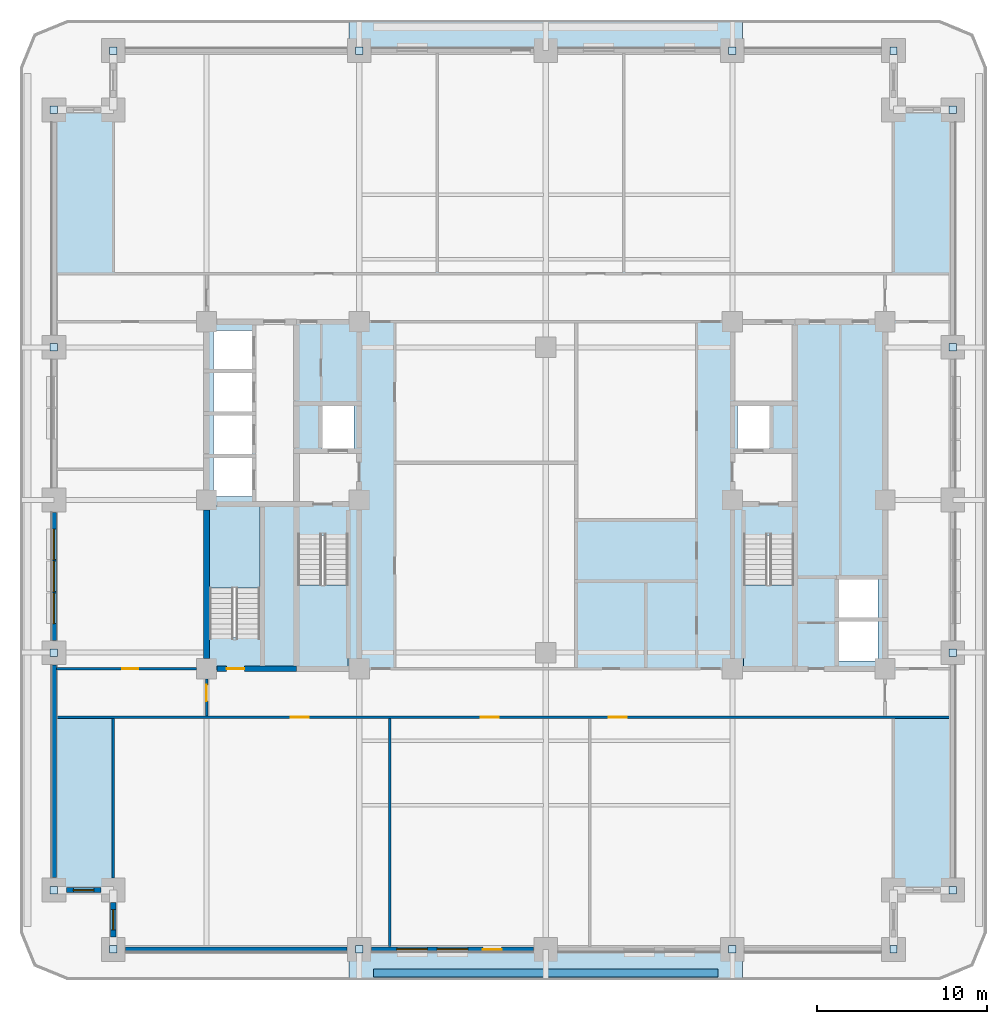
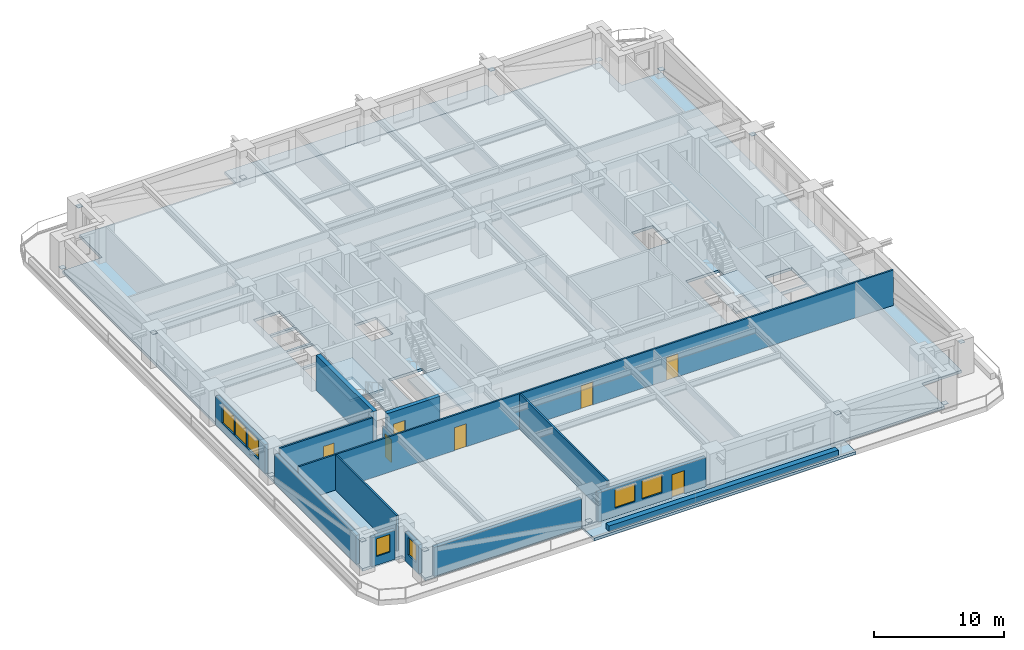
# One storey, part 2 of 14: 16 plates, 14 walls, 7 doors, 7 windows, 6 slabs, 14 openings, 3 elements without a shape of their own.
"""IFC4 building model written with IfcOpenShell, lengths in metres."""

from ifc_helpers import new_model, si_unit, direction, frame, frame_2d, origin, origin_2d, place, context, subcontext, project, spatial, polyline, rectangle, outline, extrude, material, layer, layer_set, type_object, element, fill, aggregate, save


model = new_model("IFC4")

# Units and contexts
model_context = context("Model", 3, precision=1e-05, world=origin(), true_north=direction((0.0, 1.0)))
body_context = subcontext(model_context, "Body", "Model", "MODEL_VIEW")
ifc_project = project(units=[si_unit("LENGTHUNIT", "METRE"), si_unit("AREAUNIT", "SQUARE_METRE"), si_unit("VOLUMEUNIT", "CUBIC_METRE"), si_unit("PLANEANGLEUNIT", "RADIAN"), si_unit("MASSUNIT", "GRAM", prefix="KILO")], contexts=[model_context])

# Site, building, storey
site_placement = place(None, origin())
site = spatial("IfcSite", under=ifc_project, at=site_placement, CompositionType="ELEMENT")
building_placement = place(site_placement, origin())
building = spatial("IfcBuilding", under=site, at=building_placement, Name="Zulmaris Gate Convention Tower", CompositionType="ELEMENT")
storey_placement = place(building_placement, frame((0.0, 0.0, 64.329833984375)))
storey = spatial("IfcBuildingStorey", under=building, at=storey_placement, Name="L15", CompositionType="ELEMENT", Elevation=64.329833984375)

# Plates
ifc_material_1 = material(Name="Steel S460", Category="steel")
ifc_layer_1 = layer(ifc_material_1, 0.02490234375, Name="Steel S460")
ifc_layer_set_1 = layer_set([ifc_layer_1], Name="Steel S460")
plate_type = type_object("IfcPlateType", Name="NP-CAP-440", PredefinedType="USERDEFINED", material=ifc_layer_set_1)
for number, where, z_axis, x_axis, name in (
    (1, (-29.0, -9.0, 0.28759765625), (0.0, 0.0, 1.0), (1.0, 0.0, 0.0), "L15 Steel Node Plate PBR-L15-SW-W-CAP"),
    (2, (-29.0, -23.0, 2.6875), (0.0, 0.0, 1.0), (1.0, 0.0, 0.0), "L15 Steel Node Plate PBR-L15-SW-W-CAPB"),
    (3, (-29.0, 23.0, 0.28759765625), (0.0, 0.0, 1.0), (1.0, 0.0, 0.0), "L15 Steel Node Plate PBR-L15-NW-W-CAP"),
    (4, (-29.0, 9.0, 2.6875), (0.0, 0.0, 1.0), (1.0, 0.0, 0.0), "L15 Steel Node Plate PBR-L15-NW-W-CAPB"),
    (5, (24.0, -9.0, 0.28759765625), (0.0, 0.0, 1.0), (1.0, 0.0, 0.0), "L15 Steel Node Plate PBR-L15-SE-E-CAP"),
    (6, (24.0, -23.0, 2.6875), (0.0, 0.0, 1.0), (1.0, 0.0, 0.0), "L15 Steel Node Plate PBR-L15-SE-E-CAPB"),
    (7, (24.0, 23.0, 0.28759765625), (0.0, 0.0, 1.0), (1.0, 0.0, 0.0), "L15 Steel Node Plate PBR-L15-NE-E-CAP"),
    (8, (24.0, 9.0, 2.6875), (0.0, 0.0, 1.0), (1.0, 0.0, 0.0), "L15 Steel Node Plate PBR-L15-NE-E-CAPB"),
    (9, (-11.0, -26.5, 0.28759765625), (0.0, 0.0, 1.0), (1.0, 0.0, 0.0), "L15 Steel Node Plate PBR-L15-SW-S-CAP"),
    (10, (-25.5, -26.5, 2.6875), (0.0, 0.0, 1.0), (1.0, 0.0, 0.0), "L15 Steel Node Plate PBR-L15-SW-S-CAPB"),
    (11, (20.5, -26.5, 0.28759765625), (0.0, 0.0, 1.0), (1.0, 0.0, 0.0), "L15 Steel Node Plate PBR-L15-SE-S-CAP"),
    (12, (11.0, -26.5, 2.6875), (0.0, 0.0, 1.0), (1.0, 0.0, 0.0), "L15 Steel Node Plate PBR-L15-SE-S-CAPB"),
    (13, (-11.0, 26.5, 0.28759765625), (0.0, 0.0, 1.0), (1.0, 0.0, 0.0), "L15 Steel Node Plate PBR-L15-NW-N-CAP"),
    (14, (-25.5, 26.5, 2.6875), (0.0, 0.0, 1.0), (1.0, 0.0, 0.0), "L15 Steel Node Plate PBR-L15-NW-N-CAPB"),
    (15, (20.5, 26.5, 0.28759765625), (0.0, 0.0, 1.0), (1.0, 0.0, 0.0), "L15 Steel Node Plate PBR-L15-NE-N-CAP"),
    (16, (11.0, 26.5, 2.6875), (0.0, 0.0, 1.0), (1.0, 0.0, 0.0), "L15 Steel Node Plate PBR-L15-NE-N-CAPB"),
):
    element("IfcPlate", number, at=place(storey_placement, frame(where, z_axis=z_axis, x_axis=x_axis)), inside=storey, type_object=plate_type, Name=name, ObjectType="FLANGE PLATE", PredefinedType="USERDEFINED", context=body_context, shape_type="SweptSolid", body=[
        extrude(rectangle(XDim=0.43994140625, YDim=0.43994140625, at=origin_2d()), origin(), (0.0, 0.0, 1.0), 0.02490234375),
    ])

# Slabs
ifc_material_2 = material(Name="Precast concrete C50/60", Category="concrete")
ifc_layer_2 = layer(ifc_material_2, 0.239990234375, Name="Precast concrete C50/60")
ifc_layer_set_2 = layer_set([ifc_layer_2], Name="Precast concrete C50/60")
slab_type_1 = type_object("IfcSlabType", Name="SL-BAL-240", PredefinedType="FLOOR", material=ifc_layer_set_2)
slab_1_placement = place(storey_placement, frame((0.0, 0.0, -0.300048828125)))
element("IfcSlab", 17, at=slab_1_placement, inside=storey, type_object=slab_type_1, Name="L15 South Tree-Balcony Planter Slab", PredefinedType="FLOOR", context=body_context, shape_type="SweptSolid", body=[
    extrude(outline(polyline([(-11.597900390625, -28.300048828125), (-11.597900390625, -26.5), (11.597900390625, -26.5), (11.597900390625, -28.300048828125), (-11.597900390625, -28.300048828125)])), origin(), (0.0, 0.0, 1.0), 0.260009765625),
])
slab_2_placement = place(storey_placement, frame((0.0, 0.0, -0.300048828125)))
element("IfcSlab", 18, at=slab_2_placement, inside=storey, type_object=slab_type_1, Name="L15 North Tree-Balcony Planter Slab", PredefinedType="FLOOR", context=body_context, shape_type="SweptSolid", body=[
    extrude(outline(polyline([(11.597900390625, 28.300048828125), (11.597900390625, 26.5), (-11.597900390625, 26.5), (-11.597900390625, 28.300048828125), (11.597900390625, 28.300048828125)])), origin(), (0.0, 0.0, 1.0), 0.260009765625),
])
ifc_material_3 = material(Name="Concrete C50/60", Category="concrete")
ifc_layer_3 = layer(ifc_material_3, 0.25, Name="Concrete C50/60")
ifc_layer_set_3 = layer_set([ifc_layer_3], Name="Concrete C50/60")
slab_type_2 = type_object("IfcSlabType", Name="SL-FLR-250", PredefinedType="FLOOR", material=ifc_layer_set_3)
slab_3_placement = place(storey_placement, frame((0.0, 0.0, -0.25)))
element("IfcSlab", 19, at=slab_3_placement, inside=storey, type_object=slab_type_2, Name="L15 Shifted Notched-Square Structural Floor Slab", PredefinedType="FLOOR", context=body_context, shape_type="SweptSolid", body=[
    extrude(outline(polyline([(-25.5, -26.5), (20.5, -26.5), (20.5, -23.0), (24.0, -23.0), (24.0, 23.0), (20.5, 23.0), (20.5, 26.5), (-25.5, 26.5), (-25.5, 23.0), (-29.0, 23.0), (-29.0, -23.0), (-25.5, -23.0), (-25.5, -26.5)]), holes=[polyline([(-14.6201171875, -2.080078125), (-14.6201171875, -9.85009765625), (-11.659912109375, -9.85009765625), (-11.659912109375, -2.080078125), (-14.6201171875, -2.080078125)]), polyline([(11.659912109375, -2.080078125), (11.659912109375, -9.85009765625), (14.6201171875, -9.85009765625), (14.6201171875, -2.080078125), (11.659912109375, -2.080078125)]), polyline([(-16.860107421875, -8.1201171875), (-16.860107421875, -0.35009765625), (-19.820068359375, -0.35009765625), (-19.820068359375, -8.1201171875), (-16.860107421875, -8.1201171875)]), polyline([(-13.199951171875, 3.0), (-11.300048828125, 3.0), (-11.300048828125, 5.60009765625), (-13.199951171875, 5.60009765625), (-13.199951171875, 3.0)]), polyline([(11.300048828125, 3.0), (13.199951171875, 3.0), (13.199951171875, 5.60009765625), (11.300048828125, 5.60009765625), (11.300048828125, 3.0)]), polyline([(-19.60009765625, 0.199951171875), (-17.300048828125, 0.199951171875), (-17.300048828125, 2.5), (-19.60009765625, 2.5), (-19.60009765625, 0.199951171875)]), polyline([(-19.60009765625, 2.699951171875), (-17.300048828125, 2.699951171875), (-17.300048828125, 5.0), (-19.60009765625, 5.0), (-19.60009765625, 2.699951171875)]), polyline([(-19.60009765625, 5.199951171875), (-17.300048828125, 5.199951171875), (-17.300048828125, 7.5), (-19.60009765625, 7.5), (-19.60009765625, 5.199951171875)]), polyline([(-19.60009765625, 7.699951171875), (-17.300048828125, 7.699951171875), (-17.300048828125, 10.0), (-19.60009765625, 10.0), (-19.60009765625, 7.699951171875)]), polyline([(17.199951171875, -9.5), (19.60009765625, -9.5), (19.60009765625, -7.10009765625), (17.199951171875, -7.10009765625), (17.199951171875, -9.5)]), polyline([(17.199951171875, -7.0), (19.60009765625, -7.0), (19.60009765625, -4.60009765625), (17.199951171875, -4.60009765625), (17.199951171875, -7.0)])]), origin(), (0.0, 0.0, 1.0), 0.25),
])

# Stair, slab
ifc_material_4 = material(Name="Concrete C45/55", Category="concrete")
stair_type = type_object("IfcStairType", Name="ST-CORE-DOGLEG", PredefinedType="HALF_TURN_STAIR", material=ifc_material_4)
stair_1_placement = place(storey_placement, origin())
stair_1 = element("IfcStair", 20, at=stair_1_placement, inside=storey, type_object=stair_type, Name="L15 Core Exit Stair ST-1", PredefinedType="HALF_TURN_STAIR")
ifc_layer_4 = layer(ifc_material_4, 0.199951171875, Name="Concrete C45/55")
ifc_layer_set_4 = layer_set([ifc_layer_4], Name="Concrete C45/55")
slab_type_3 = type_object("IfcSlabType", Name="SL-LND-200", PredefinedType="LANDING", material=ifc_layer_set_4)
slab_4_placement = place(storey_placement, frame((0.0, 0.0, 1.5849609375)))
slab_4 = element("IfcSlab", 21, at=slab_4_placement, type_object=slab_type_3, Name="ST-1 landing 1", PredefinedType="LANDING", context=body_context, shape_type="SweptSolid", body=[
    extrude(outline(polyline([(-14.6201171875, -5.0), (-14.6201171875, -9.85009765625), (-11.659912109375, -9.85009765625), (-11.659912109375, -5.0), (-14.6201171875, -5.0)])), origin(), (0.0, 0.0, 1.0), 0.199951171875),
])
aggregate(stair_1, [slab_4])

stair_2_placement = place(storey_placement, origin())
stair_2 = element("IfcStair", 22, at=stair_2_placement, inside=storey, type_object=stair_type, Name="L15 Core Exit Stair ST-2", PredefinedType="HALF_TURN_STAIR")
slab_5_placement = place(storey_placement, frame((0.0, 0.0, 1.5849609375)))
slab_5 = element("IfcSlab", 23, at=slab_5_placement, type_object=slab_type_3, Name="ST-2 landing 1", PredefinedType="LANDING", context=body_context, shape_type="SweptSolid", body=[
    extrude(outline(polyline([(11.659912109375, -5.0), (11.659912109375, -9.85009765625), (14.6201171875, -9.85009765625), (14.6201171875, -5.0), (11.659912109375, -5.0)])), origin(), (0.0, 0.0, 1.0), 0.199951171875),
])
aggregate(stair_2, [slab_5])

stair_3_placement = place(storey_placement, origin())
stair_3 = element("IfcStair", 24, at=stair_3_placement, inside=storey, type_object=stair_type, Name="L15 Core Exit Stair ST-3", PredefinedType="HALF_TURN_STAIR")
slab_6_placement = place(storey_placement, frame((0.0, 0.0, 1.5849609375)))
slab_6 = element("IfcSlab", 25, at=slab_6_placement, type_object=slab_type_3, Name="ST-3 landing 1", PredefinedType="LANDING", context=body_context, shape_type="SweptSolid", body=[
    extrude(outline(polyline([(-16.860107421875, -5.199951171875), (-16.860107421875, -0.35009765625), (-19.820068359375, -0.35009765625), (-19.820068359375, -5.199951171875), (-16.860107421875, -5.199951171875)])), origin(), (0.0, 0.0, 1.0), 0.199951171875),
])
aggregate(stair_3, [slab_6])

# Wall, opening, door
ifc_material_5 = material(Name="Concrete C55/67", Category="concrete")
ifc_layer_5 = layer(ifc_material_5, 0.35009765625, Name="Concrete C55/67")
ifc_layer_set_5 = layer_set([ifc_layer_5], Name="Concrete C55/67")
wall_type_1 = type_object("IfcWallType", Name="CORE-350", PredefinedType="SHEAR", material=ifc_layer_set_5)
wall_1_placement = place(storey_placement, frame((-19.39599609375, -9.949951171875, 0.0), z_axis=(0.0, 0.0, 1.0), x_axis=(1.0, 0.0, 0.0)))
wall_1 = element("IfcWall", 26, at=wall_1_placement, inside=storey, type_object=wall_type_1, Name="WL-L15-001", PredefinedType="SHEAR", context=body_context, shape_type="SweptSolid", body=[
    extrude(rectangle(XDim=4.696044921875, YDim=0.35009765625, at=frame_2d((2.34814453125, 0.0))), origin(), (0.0, 0.0, 1.0), 3.320068359375),
])
opening_1_placement = place(wall_1_placement, frame((0.571044921875, 0.0, 0.0)))
opening_1 = element("IfcOpeningElement", 27, at=opening_1_placement, cuts=wall_1, Name="Opening D-09", PredefinedType="OPENING", context=body_context, shape_type="SweptSolid", body=[
    extrude(rectangle(XDim=1.050048828125, YDim=2.14990234375, at=frame_2d((0.52490234375, 1.074951171875))), frame((0.0, 0.18505859375, 0.0), z_axis=(0.0, -1.0, 0.0), x_axis=(1.0, 0.0, 0.0)), (0.0, 0.0, 1.0), 0.3701171875),
])
ifc_material_6 = material(Name="Fire-Rated Steel", Category="steel")
door_type_1 = type_object("IfcDoorType", Name="DR-1050-FD", OperationType="NOTDEFINED", PredefinedType="DOOR", material=ifc_material_6)
door_1_placement = place(opening_1_placement, origin())
door_1 = element("IfcDoor", 28, at=door_1_placement, inside=storey, type_object=door_type_1, Name="L15 Exit Stair ST-3 Door 10", OperationType="SINGLE_SWING_RIGHT", OverallHeight=2.14990234375, OverallWidth=1.050048828125, PredefinedType="DOOR", context=body_context, shape_type="SweptSolid", body=[
    extrude(rectangle(XDim=1.050048828125, YDim=2.14990234375, at=frame_2d((0.52490234375, 1.074951171875))), frame((0.0, 0.02490234375, 0.0), z_axis=(0.0, -1.0, 0.0), x_axis=(1.0, 0.0, 0.0)), (0.0, 0.0, 1.0), 0.050048828125),
])
fill(opening_1, door_1)

# Wall
wall_2_placement = place(storey_placement, frame((-20.0, -9.345947265625, 0.0), z_axis=(0.0, 0.0, 1.0), x_axis=(0.0, 1.0, 0.0)))
element("IfcWall", 29, at=wall_2_placement, inside=storey, type_object=wall_type_1, Name="WL-L15-034", PredefinedType="SHEAR", context=body_context, shape_type="SweptSolid", body=[
    extrude(rectangle(XDim=8.741943359375, YDim=0.35009765625, at=frame_2d((4.37109375, 0.0))), origin(), (0.0, 0.0, 1.0), 3.320068359375),
])

# Wall, openings, doors
ifc_material_7 = material(Name="Gypsum Metal Stud Partition")
ifc_layer_6 = layer(ifc_material_7, 0.14990234375, Name="Gypsum Metal Stud Partition")
ifc_layer_set_6 = layer_set([ifc_layer_6], Name="Gypsum Metal Stud Partition")
wall_type_2 = type_object("IfcWallType", Name="PART-150", PredefinedType="PARTITIONING", material=ifc_layer_set_6)
wall_3_placement = place(storey_placement, frame((-28.8349609375, -12.800048828125, 0.0), z_axis=(0.0, 0.0, 1.0), x_axis=(1.0, 0.0, 0.0)))
wall_3 = element("IfcWall", 30, at=wall_3_placement, inside=storey, type_object=wall_type_2, Name="WL-L15-020", PredefinedType="PARTITIONING", context=body_context, shape_type="SweptSolid", body=[
    extrude(rectangle(XDim=52.669921875, YDim=0.14990234375, at=frame_2d((26.3349609375, 0.0))), origin(), (0.0, 0.0, 1.0), 3.320068359375),
])
opening_2_placement = place(wall_3_placement, frame((13.81005859375, 0.0, 0.0)))
opening_2 = element("IfcOpeningElement", 31, at=opening_2_placement, cuts=wall_3, Name="Opening D-09", PredefinedType="OPENING", context=body_context, shape_type="SweptSolid", body=[
    extrude(rectangle(XDim=1.050048828125, YDim=2.14990234375, at=frame_2d((0.52490234375, 1.074951171875))), frame((0.0, 0.0849609375, 0.0), z_axis=(0.0, -1.0, 0.0), x_axis=(1.0, 0.0, 0.0)), (0.0, 0.0, 1.0), 0.169921875),
])
opening_3_placement = place(wall_3_placement, frame((25.010009765625, 0.0, 0.0)))
opening_3 = element("IfcOpeningElement", 32, at=opening_3_placement, cuts=wall_3, Name="Opening D-09", PredefinedType="OPENING", context=body_context, shape_type="SweptSolid", body=[
    extrude(rectangle(XDim=1.050048828125, YDim=2.14990234375, at=frame_2d((0.52490234375, 1.074951171875))), frame((0.0, 0.0849609375, 0.0), z_axis=(0.0, -1.0, 0.0), x_axis=(1.0, 0.0, 0.0)), (0.0, 0.0, 1.0), 0.169921875),
])
opening_4_placement = place(wall_3_placement, frame((32.56005859375, 0.0, 0.0)))
opening_4 = element("IfcOpeningElement", 33, at=opening_4_placement, cuts=wall_3, Name="Opening D-09", PredefinedType="OPENING", context=body_context, shape_type="SweptSolid", body=[
    extrude(rectangle(XDim=1.050048828125, YDim=2.14990234375, at=frame_2d((0.52490234375, 1.074951171875))), frame((0.0, 0.0849609375, 0.0), z_axis=(0.0, -1.0, 0.0), x_axis=(1.0, 0.0, 0.0)), (0.0, 0.0, 1.0), 0.169921875),
])
door_2_placement = place(opening_2_placement, origin())
door_2 = element("IfcDoor", 34, at=door_2_placement, inside=storey, type_object=door_type_1, Name="L15 Executive Boardroom Door 27", OperationType="SINGLE_SWING_LEFT", OverallHeight=2.14990234375, OverallWidth=1.050048828125, PredefinedType="DOOR", context=body_context, shape_type="SweptSolid", body=[
    extrude(rectangle(XDim=1.050048828125, YDim=2.14990234375, at=frame_2d((0.52490234375, 1.074951171875))), frame((0.0, 0.02490234375, 0.0), z_axis=(0.0, -1.0, 0.0), x_axis=(1.0, 0.0, 0.0)), (0.0, 0.0, 1.0), 0.050048828125),
])
fill(opening_2, door_2)
door_3_placement = place(opening_3_placement, origin())
door_3 = element("IfcDoor", 35, at=door_3_placement, inside=storey, type_object=door_type_1, Name="L15 Corporate Strategy Office Door 28", OperationType="SINGLE_SWING_RIGHT", OverallHeight=2.14990234375, OverallWidth=1.050048828125, PredefinedType="DOOR", context=body_context, shape_type="SweptSolid", body=[
    extrude(rectangle(XDim=1.050048828125, YDim=2.14990234375, at=frame_2d((0.52490234375, 1.074951171875))), frame((0.0, 0.02490234375, 0.0), z_axis=(0.0, -1.0, 0.0), x_axis=(1.0, 0.0, 0.0)), (0.0, 0.0, 1.0), 0.050048828125),
])
fill(opening_3, door_3)
door_4_placement = place(opening_4_placement, origin())
door_4 = element("IfcDoor", 36, at=door_4_placement, inside=storey, type_object=door_type_1, Name="L15 Project Advisory Studio Door 29", OperationType="SINGLE_SWING_LEFT", OverallHeight=2.14990234375, OverallWidth=1.050048828125, PredefinedType="DOOR", context=body_context, shape_type="SweptSolid", body=[
    extrude(rectangle(XDim=1.050048828125, YDim=2.14990234375, at=frame_2d((0.52490234375, 1.074951171875))), frame((0.0, 0.02490234375, 0.0), z_axis=(0.0, -1.0, 0.0), x_axis=(1.0, 0.0, 0.0)), (0.0, 0.0, 1.0), 0.050048828125),
])
fill(opening_4, door_4)

# Wall, opening, door
wall_4_placement = place(storey_placement, frame((-28.8349609375, -9.949951171875, 0.0), z_axis=(0.0, 0.0, 1.0), x_axis=(1.0, 0.0, 0.0)))
wall_4 = element("IfcWall", 37, at=wall_4_placement, inside=storey, type_object=wall_type_2, Name="WL-L15-021", PredefinedType="PARTITIONING", context=body_context, shape_type="SweptSolid", body=[
    extrude(rectangle(XDim=8.22900390625, YDim=0.14990234375, at=frame_2d((4.114501953125, 0.0))), origin(), (0.0, 0.0, 1.0), 3.320068359375),
])
opening_5_placement = place(wall_4_placement, frame((3.860107421875, 0.0, 0.0)))
opening_5 = element("IfcOpeningElement", 38, at=opening_5_placement, cuts=wall_4, Name="Opening D-11", PredefinedType="OPENING", context=body_context, shape_type="SweptSolid", body=[
    extrude(rectangle(XDim=0.949951171875, YDim=2.14990234375, at=frame_2d((0.47509765625, 1.074951171875))), frame((0.0, 0.0849609375, 0.0), z_axis=(0.0, -1.0, 0.0), x_axis=(1.0, 0.0, 0.0)), (0.0, 0.0, 1.0), 0.169921875),
])
ifc_material_8 = material(Name="Fire-Rated Timber", Category="wood")
door_type_2 = type_object("IfcDoorType", Name="DR-950-FD", OperationType="NOTDEFINED", PredefinedType="DOOR", material=ifc_material_8)
door_5_placement = place(opening_5_placement, origin())
door_5 = element("IfcDoor", 39, at=door_5_placement, inside=storey, type_object=door_type_2, Name="L15 SW Partner Door 39", OperationType="SINGLE_SWING_LEFT", OverallHeight=2.14990234375, OverallWidth=0.949951171875, PredefinedType="DOOR", context=body_context, shape_type="SweptSolid", body=[
    extrude(rectangle(XDim=0.949951171875, YDim=2.14990234375, at=frame_2d((0.47509765625, 1.074951171875))), frame((0.0, 0.02490234375, 0.0), z_axis=(0.0, -1.0, 0.0), x_axis=(1.0, 0.0, 0.0)), (0.0, 0.0, 1.0), 0.050048828125),
])
fill(opening_5, door_5)

# Wall
wall_5_placement = place(storey_placement, frame((-25.5, -22.2939453125, 0.0), z_axis=(0.0, 0.0, 1.0), x_axis=(0.0, 1.0, 0.0)))
element("IfcWall", 40, at=wall_5_placement, inside=storey, type_object=wall_type_2, Name="WL-L15-069", PredefinedType="PARTITIONING", context=body_context, shape_type="SweptSolid", body=[
    extrude(rectangle(XDim=9.416015625, YDim=0.14990234375, at=frame_2d((4.7080078125, 0.0))), origin(), (0.0, 0.0, 1.0), 3.320068359375),
])

# Wall, opening, door
wall_6_placement = place(storey_placement, frame((-20.0, -12.721923828125, 0.0), z_axis=(0.0, 0.0, 1.0), x_axis=(0.0, 1.0, 0.0)))
wall_6 = element("IfcWall", 41, at=wall_6_placement, inside=storey, type_object=wall_type_2, Name="WL-L15-071", PredefinedType="PARTITIONING", context=body_context, shape_type="SweptSolid", body=[
    extrude(rectangle(XDim=2.166015625, YDim=0.14990234375, at=frame_2d((1.0830078125, 0.0))), origin(), (0.0, 0.0, 1.0), 2.66015625),
])
opening_6_placement = place(wall_6_placement, frame((0.866943359375, 0.0, 0.0)))
opening_6 = element("IfcOpeningElement", 42, at=opening_6_placement, cuts=wall_6, Name="Opening D-11", PredefinedType="OPENING", context=body_context, shape_type="SweptSolid", body=[
    extrude(rectangle(XDim=0.949951171875, YDim=2.14990234375, at=frame_2d((0.47509765625, 1.074951171875))), frame((0.0, 0.0849609375, 0.0), z_axis=(0.0, -1.0, 0.0), x_axis=(1.0, 0.0, 0.0)), (0.0, 0.0, 1.0), 0.169921875),
])
door_6_placement = place(opening_6_placement, origin())
door_6 = element("IfcDoor", 43, at=door_6_placement, inside=storey, type_object=door_type_2, Name="L15 SW Spur Door 37", OperationType="SINGLE_SWING_LEFT", OverallHeight=2.14990234375, OverallWidth=0.949951171875, PredefinedType="DOOR", context=body_context, shape_type="SweptSolid", body=[
    extrude(rectangle(XDim=0.949951171875, YDim=2.14990234375, at=frame_2d((0.47509765625, 1.074951171875))), frame((0.0, 0.02490234375, 0.0), z_axis=(0.0, -1.0, 0.0), x_axis=(1.0, 0.0, 0.0)), (0.0, 0.0, 1.0), 0.050048828125),
])
fill(opening_6, door_6)

# Walls
wall_7_placement = place(storey_placement, frame((-9.199951171875, -26.3349609375, 0.0), z_axis=(0.0, 0.0, 1.0), x_axis=(0.0, 1.0, 0.0)))
element("IfcWall", 44, at=wall_7_placement, inside=storey, type_object=wall_type_2, Name="WL-L15-074", PredefinedType="PARTITIONING", context=body_context, shape_type="SweptSolid", body=[
    extrude(rectangle(XDim=13.45703125, YDim=0.14990234375, at=frame_2d((6.728515625, 0.0))), origin(), (0.0, 0.0, 1.0), 3.320068359375),
])
ifc_material_9 = material(Name="Botanical Green Glazed Precast Concrete C40/50", Category="concrete")
ifc_layer_7 = layer(ifc_material_9, 0.419921875, Name="Botanical Green Glazed Precast Concrete C40/50")
ifc_layer_set_7 = layer_set([ifc_layer_7], Name="Botanical Green Glazed Precast Concrete C40/50")
wall_type_3 = type_object("IfcWallType", Name="PLANTER-CURB-200", PredefinedType="PARAPET", material=ifc_layer_set_7)
wall_8_placement = place(storey_placement, frame((-10.14990234375, -27.8798828125, -0.0400390625), z_axis=(0.0, 0.0, 1.0), x_axis=(1.0, 0.0, 0.0)))
element("IfcWall", 45, at=wall_8_placement, inside=storey, type_object=wall_type_3, Name="L15 Full-Length Balcony Tree Planter Trough", PredefinedType="PARAPET", context=body_context, shape_type="SweptSolid", body=[
    extrude(rectangle(XDim=20.2998046875, YDim=0.47998046875, at=frame_2d((10.14990234375, 0.0))), origin(), (0.0, 0.0, 1.0), 0.52001953125),
])

# Wall, opening, window
ifc_material_10 = material(Name="Precast concrete C40/50", Category="concrete")
ifc_layer_8 = layer(ifc_material_10, 0.300048828125, Name="Precast concrete C40/50")
ifc_layer_set_8 = layer_set([ifc_layer_8], Name="Precast concrete C40/50")
wall_type_4 = type_object("IfcWallType", Name="PRECAST-PIER-300", PredefinedType="STANDARD", material=ifc_layer_set_8)
wall_9_placement = place(storey_placement, frame((-28.27001953125, -23.0, 0.0), z_axis=(0.0, 0.0, 1.0), x_axis=(1.0, 0.0, 0.0)))
wall_9 = element("IfcWall", 46, at=wall_9_placement, inside=storey, type_object=wall_type_4, Name="EW-L15-NOTCH-SW1_0", PredefinedType="STANDARD", context=body_context, shape_type="SweptSolid", body=[
    extrude(rectangle(XDim=2.0400390625, YDim=0.300048828125, at=frame_2d((1.02001953125, 0.0))), origin(), (0.0, 0.0, 1.0), 2.712158203125),
])
opening_7_placement = place(wall_9_placement, frame((0.419921875, 0.0, 0.820068359375)))
opening_7 = element("IfcOpeningElement", 47, at=opening_7_placement, cuts=wall_9, Name="Opening W-04", PredefinedType="OPENING", context=body_context, shape_type="SweptSolid", body=[
    extrude(rectangle(XDim=1.199951171875, YDim=1.64990234375, at=frame_2d((0.60009765625, 0.824951171875))), frame((0.0, 0.16015625, 0.0), z_axis=(0.0, -1.0, 0.0), x_axis=(1.0, 0.0, 0.0)), (0.0, 0.0, 1.0), 0.320068359375),
])
ifc_material_11 = material(Name="Low-E Laminated Double Glazing in Aluminium Frame", Category="aluminium")
window_type_1 = type_object("IfcWindowType", Name="WIN-1200x2100", PartitioningType="SINGLE_PANEL", PredefinedType="WINDOW", material=ifc_material_11)
window_1_placement = place(opening_7_placement, origin())
window_1 = element("IfcWindow", 48, at=window_1_placement, inside=storey, type_object=window_type_1, Name="WN-EW-L15-NOTCH-SW1_0", OverallHeight=1.64990234375, OverallWidth=1.199951171875, PartitioningType="SINGLE_PANEL", PredefinedType="WINDOW", context=body_context, shape_type="SweptSolid", body=[
    extrude(rectangle(XDim=1.199951171875, YDim=1.64990234375, at=frame_2d((0.60009765625, 0.824951171875))), frame((0.0, 0.030029296875, 0.0), z_axis=(0.0, -1.0, 0.0), x_axis=(1.0, 0.0, 0.0)), (0.0, 0.0, 1.0), 0.06005859375),
])
fill(opening_7, window_1)

wall_10_placement = place(storey_placement, frame((-25.5, -23.72998046875, 0.0), z_axis=(0.0, 0.0, 1.0), x_axis=(0.0, -1.0, 0.0)))
wall_10 = element("IfcWall", 49, at=wall_10_placement, inside=storey, type_object=wall_type_4, Name="EW-L15-NOTCH-SW2_0", PredefinedType="STANDARD", context=body_context, shape_type="SweptSolid", body=[
    extrude(rectangle(XDim=2.0400390625, YDim=0.300048828125, at=frame_2d((1.02001953125, 0.0))), origin(), (0.0, 0.0, 1.0), 2.712158203125),
])
opening_8_placement = place(wall_10_placement, frame((0.419921875, 0.0, 0.820068359375)))
opening_8 = element("IfcOpeningElement", 50, at=opening_8_placement, cuts=wall_10, Name="Opening W-04", PredefinedType="OPENING", context=body_context, shape_type="SweptSolid", body=[
    extrude(rectangle(XDim=1.199951171875, YDim=1.64990234375, at=frame_2d((0.60009765625, 0.824951171875))), frame((0.0, 0.16015625, 0.0), z_axis=(0.0, -1.0, 0.0), x_axis=(1.0, 0.0, 0.0)), (0.0, 0.0, 1.0), 0.320068359375),
])
window_2_placement = place(opening_8_placement, origin())
window_2 = element("IfcWindow", 51, at=window_2_placement, inside=storey, type_object=window_type_1, Name="WN-EW-L15-NOTCH-SW2_0", OverallHeight=1.64990234375, OverallWidth=1.199951171875, PartitioningType="SINGLE_PANEL", PredefinedType="WINDOW", context=body_context, shape_type="SweptSolid", body=[
    extrude(rectangle(XDim=1.199951171875, YDim=1.64990234375, at=frame_2d((0.60009765625, 0.824951171875))), frame((0.0, 0.030029296875, 0.0), z_axis=(0.0, -1.0, 0.0), x_axis=(1.0, 0.0, 0.0)), (0.0, 0.0, 1.0), 0.06005859375),
])
fill(opening_8, window_2)

# Wall
wall_11_placement = place(storey_placement, frame((-24.77001953125, -26.5, 0.0), z_axis=(0.0, 0.0, 1.0), x_axis=(1.0, 0.0, 0.0)))
element("IfcWall", 52, at=wall_11_placement, inside=storey, type_object=wall_type_4, Name="EW-L15-S-0_0", PredefinedType="STANDARD", context=body_context, shape_type="SweptSolid", body=[
    extrude(rectangle(XDim=13.0400390625, YDim=0.300048828125, at=frame_2d((6.52001953125, 0.0))), origin(), (0.0, 0.0, 1.0), 2.712158203125),
])

# Wall, openings, door, windows
wall_12_placement = place(storey_placement, frame((-10.27001953125, -26.5, 0.0), z_axis=(0.0, 0.0, 1.0), x_axis=(1.0, 0.0, 0.0)))
wall_12 = element("IfcWall", 53, at=wall_12_placement, inside=storey, type_object=wall_type_4, Name="EW-L15-S-1_0", PredefinedType="STANDARD", context=body_context, shape_type="SweptSolid", body=[
    extrude(rectangle(XDim=9.5400390625, YDim=0.300048828125, at=frame_2d((4.77001953125, 0.0))), origin(), (0.0, 0.0, 1.0), 2.712158203125),
])
opening_9_placement = place(wall_12_placement, frame((6.56494140625, 0.0, 0.0)))
opening_9 = element("IfcOpeningElement", 54, at=opening_9_placement, cuts=wall_12, Name="Opening D-04", PredefinedType="OPENING", context=body_context, shape_type="SweptSolid", body=[
    extrude(rectangle(XDim=1.10009765625, YDim=2.14990234375, at=frame_2d((0.550048828125, 1.074951171875))), frame((0.0, 0.16015625, 0.0), z_axis=(0.0, -1.0, 0.0), x_axis=(1.0, 0.0, 0.0)), (0.0, 0.0, 1.0), 0.320068359375),
])
opening_10_placement = place(wall_12_placement, frame((1.485107421875, 0.0, 0.780029296875)))
opening_10 = element("IfcOpeningElement", 55, at=opening_10_placement, cuts=wall_12, Name="Opening W-02", PredefinedType="OPENING", context=body_context, shape_type="SweptSolid", body=[
    extrude(rectangle(XDim=1.800048828125, YDim=1.719970703125, at=frame_2d((0.89990234375, 0.85986328125))), frame((0.0, 0.16015625, 0.0), z_axis=(0.0, -1.0, 0.0), x_axis=(1.0, 0.0, 0.0)), (0.0, 0.0, 1.0), 0.320068359375),
])
opening_11_placement = place(wall_12_placement, frame((3.8701171875, 0.0, 0.780029296875)))
opening_11 = element("IfcOpeningElement", 56, at=opening_11_placement, cuts=wall_12, Name="Opening W-02", PredefinedType="OPENING", context=body_context, shape_type="SweptSolid", body=[
    extrude(rectangle(XDim=1.800048828125, YDim=1.719970703125, at=frame_2d((0.89990234375, 0.85986328125))), frame((0.0, 0.16015625, 0.0), z_axis=(0.0, -1.0, 0.0), x_axis=(1.0, 0.0, 0.0)), (0.0, 0.0, 1.0), 0.320068359375),
])
ifc_material_12 = material(Name="Anodised Aluminium and Laminated Glass", Category="aluminium")
door_type_3 = type_object("IfcDoorType", Name="ED-1100", OperationType="SINGLE_SWING_RIGHT", PredefinedType="DOOR", material=ifc_material_12)
door_7_placement = place(opening_9_placement, origin())
door_7 = element("IfcDoor", 57, at=door_7_placement, inside=storey, type_object=door_type_3, Name="L15 S Planted Terrace Door", OperationType="SINGLE_SWING_RIGHT", OverallHeight=2.14990234375, OverallWidth=1.10009765625, PredefinedType="DOOR", context=body_context, shape_type="SweptSolid", body=[
    extrude(rectangle(XDim=1.10009765625, YDim=2.14990234375, at=frame_2d((0.550048828125, 1.074951171875))), frame((0.0, 0.02490234375, 0.0), z_axis=(0.0, -1.0, 0.0), x_axis=(1.0, 0.0, 0.0)), (0.0, 0.0, 1.0), 0.050048828125),
])
fill(opening_9, door_7)
window_type_2 = type_object("IfcWindowType", Name="WIN-1800x2200", PartitioningType="SINGLE_PANEL", PredefinedType="WINDOW", material=ifc_material_11)
window_3_placement = place(opening_10_placement, origin())
window_3 = element("IfcWindow", 58, at=window_3_placement, inside=storey, type_object=window_type_2, Name="WN-EW-L15-S-1_0-1", OverallHeight=1.719970703125, OverallWidth=1.800048828125, PartitioningType="SINGLE_PANEL", PredefinedType="WINDOW", context=body_context, shape_type="SweptSolid", body=[
    extrude(rectangle(XDim=1.800048828125, YDim=1.719970703125, at=frame_2d((0.89990234375, 0.85986328125))), frame((0.0, 0.030029296875, 0.0), z_axis=(0.0, -1.0, 0.0), x_axis=(1.0, 0.0, 0.0)), (0.0, 0.0, 1.0), 0.06005859375),
])
fill(opening_10, window_3)
window_4_placement = place(opening_11_placement, origin())
window_4 = element("IfcWindow", 59, at=window_4_placement, inside=storey, type_object=window_type_2, Name="WN-EW-L15-S-1_0-2", OverallHeight=1.719970703125, OverallWidth=1.800048828125, PartitioningType="SINGLE_PANEL", PredefinedType="WINDOW", context=body_context, shape_type="SweptSolid", body=[
    extrude(rectangle(XDim=1.800048828125, YDim=1.719970703125, at=frame_2d((0.89990234375, 0.85986328125))), frame((0.0, 0.030029296875, 0.0), z_axis=(0.0, -1.0, 0.0), x_axis=(1.0, 0.0, 0.0)), (0.0, 0.0, 1.0), 0.06005859375),
])
fill(opening_11, window_4)

# Wall
wall_13_placement = place(storey_placement, frame((-29.0, -9.72998046875, 0.0), z_axis=(0.0, 0.0, 1.0), x_axis=(0.0, -1.0, 0.0)))
element("IfcWall", 60, at=wall_13_placement, inside=storey, type_object=wall_type_4, Name="EW-L15-W-0_0", PredefinedType="STANDARD", context=body_context, shape_type="SweptSolid", body=[
    extrude(rectangle(XDim=12.5400390625, YDim=0.300048828125, at=frame_2d((6.27001953125, 0.0))), origin(), (0.0, 0.0, 1.0), 2.712158203125),
])

# Wall, openings, windows
wall_14_placement = place(storey_placement, frame((-29.0, -0.72998046875, 0.0), z_axis=(0.0, 0.0, 1.0), x_axis=(0.0, -1.0, 0.0)))
wall_14 = element("IfcWall", 61, at=wall_14_placement, inside=storey, type_object=wall_type_4, Name="EW-L15-W-1_0", PredefinedType="STANDARD", context=body_context, shape_type="SweptSolid", body=[
    extrude(rectangle(XDim=7.5400390625, YDim=0.300048828125, at=frame_2d((3.77001953125, 0.0))), origin(), (0.0, 0.0, 1.0), 2.712158203125),
])
opening_12_placement = place(wall_14_placement, frame((0.985107421875, 0.0, 0.780029296875)))
opening_12 = element("IfcOpeningElement", 62, at=opening_12_placement, cuts=wall_14, Name="Opening W-02", PredefinedType="OPENING", context=body_context, shape_type="SweptSolid", body=[
    extrude(rectangle(XDim=1.800048828125, YDim=1.719970703125, at=frame_2d((0.89990234375, 0.85986328125))), frame((0.0, 0.16015625, 0.0), z_axis=(0.0, -1.0, 0.0), x_axis=(1.0, 0.0, 0.0)), (0.0, 0.0, 1.0), 0.320068359375),
])
opening_13_placement = place(wall_14_placement, frame((2.8701171875, 0.0, 0.780029296875)))
opening_13 = element("IfcOpeningElement", 63, at=opening_13_placement, cuts=wall_14, Name="Opening W-02", PredefinedType="OPENING", context=body_context, shape_type="SweptSolid", body=[
    extrude(rectangle(XDim=1.800048828125, YDim=1.719970703125, at=frame_2d((0.89990234375, 0.85986328125))), frame((0.0, 0.16015625, 0.0), z_axis=(0.0, -1.0, 0.0), x_axis=(1.0, 0.0, 0.0)), (0.0, 0.0, 1.0), 0.320068359375),
])
opening_14_placement = place(wall_14_placement, frame((4.7548828125, 0.0, 0.780029296875)))
opening_14 = element("IfcOpeningElement", 64, at=opening_14_placement, cuts=wall_14, Name="Opening W-02", PredefinedType="OPENING", context=body_context, shape_type="SweptSolid", body=[
    extrude(rectangle(XDim=1.800048828125, YDim=1.719970703125, at=frame_2d((0.89990234375, 0.85986328125))), frame((0.0, 0.16015625, 0.0), z_axis=(0.0, -1.0, 0.0), x_axis=(1.0, 0.0, 0.0)), (0.0, 0.0, 1.0), 0.320068359375),
])
window_5_placement = place(opening_12_placement, origin())
window_5 = element("IfcWindow", 65, at=window_5_placement, inside=storey, type_object=window_type_2, Name="WN-EW-L15-W-1_0-1", OverallHeight=1.719970703125, OverallWidth=1.800048828125, PartitioningType="SINGLE_PANEL", PredefinedType="WINDOW", context=body_context, shape_type="SweptSolid", body=[
    extrude(rectangle(XDim=1.800048828125, YDim=1.719970703125, at=frame_2d((0.89990234375, 0.85986328125))), frame((0.0, 0.030029296875, 0.0), z_axis=(0.0, -1.0, 0.0), x_axis=(1.0, 0.0, 0.0)), (0.0, 0.0, 1.0), 0.06005859375),
])
fill(opening_12, window_5)
window_6_placement = place(opening_13_placement, origin())
window_6 = element("IfcWindow", 66, at=window_6_placement, inside=storey, type_object=window_type_2, Name="WN-EW-L15-W-1_0-2", OverallHeight=1.719970703125, OverallWidth=1.800048828125, PartitioningType="SINGLE_PANEL", PredefinedType="WINDOW", context=body_context, shape_type="SweptSolid", body=[
    extrude(rectangle(XDim=1.800048828125, YDim=1.719970703125, at=frame_2d((0.89990234375, 0.85986328125))), frame((0.0, 0.030029296875, 0.0), z_axis=(0.0, -1.0, 0.0), x_axis=(1.0, 0.0, 0.0)), (0.0, 0.0, 1.0), 0.06005859375),
])
fill(opening_13, window_6)
window_7_placement = place(opening_14_placement, origin())
window_7 = element("IfcWindow", 67, at=window_7_placement, inside=storey, type_object=window_type_2, Name="WN-EW-L15-W-1_0-3", OverallHeight=1.719970703125, OverallWidth=1.800048828125, PartitioningType="SINGLE_PANEL", PredefinedType="WINDOW", context=body_context, shape_type="SweptSolid", body=[
    extrude(rectangle(XDim=1.800048828125, YDim=1.719970703125, at=frame_2d((0.89990234375, 0.85986328125))), frame((0.0, 0.030029296875, 0.0), z_axis=(0.0, -1.0, 0.0), x_axis=(1.0, 0.0, 0.0)), (0.0, 0.0, 1.0), 0.06005859375),
])
fill(opening_14, window_7)

save(model, "model.ifc")
